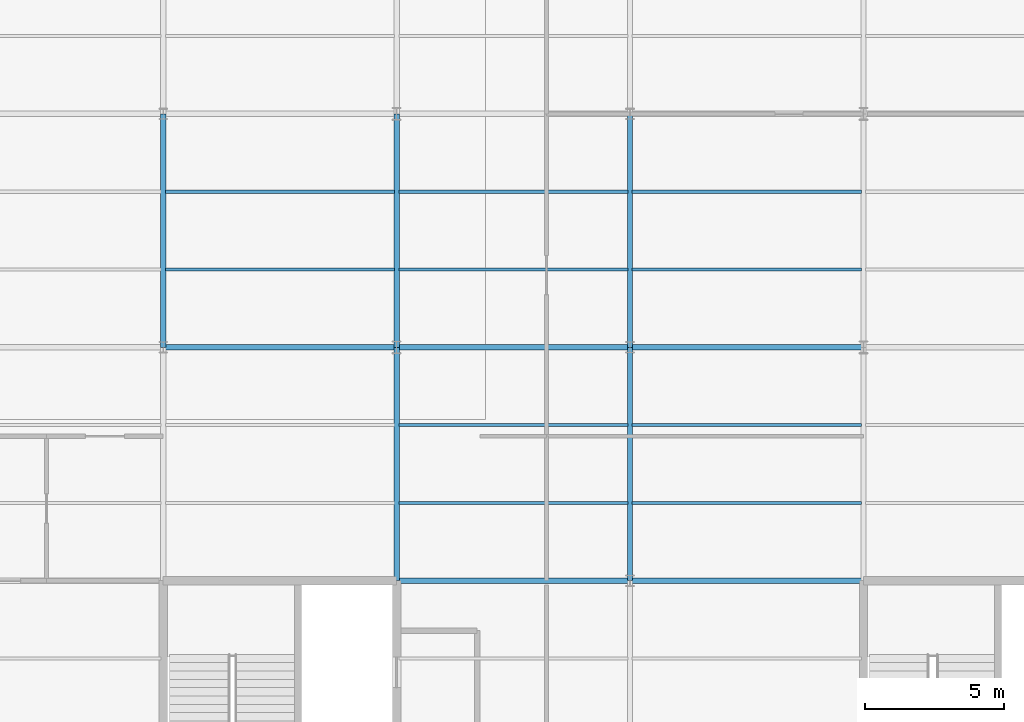
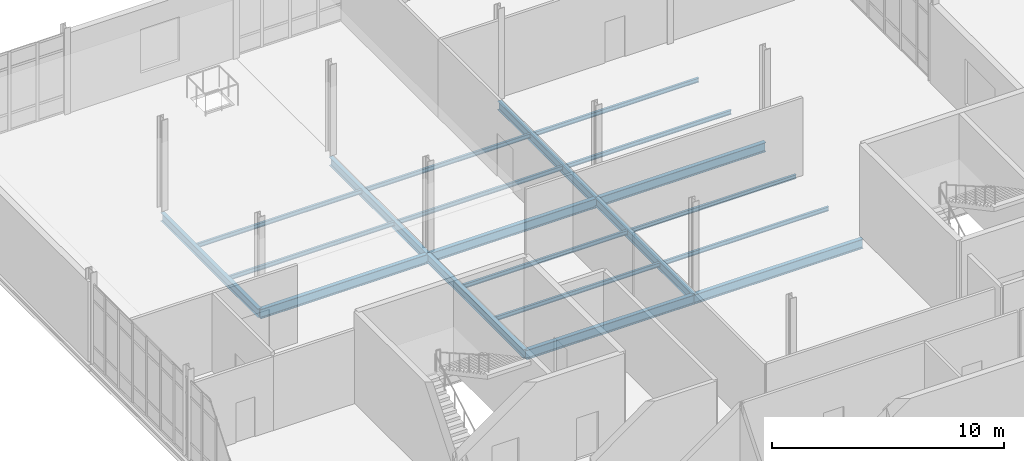
# One storey, part 10 of 28: 20 beams.
"""IFC4 building model written with IfcOpenShell, lengths in metres."""

import ifcopenshell
import ifcopenshell.guid

model = None  # the IFC model being written
_history = None  # IfcOwnerHistory: only IFC2X3 demands one
_inside = {}  # id of a spatial element -> (the spatial element, [elements in it])
_under = {}  # id of a project, library or spatial element -> (it, [spatial elements below it])
_declared = {}  # id of a project -> (the project, [libraries it declares])
_typed = {}  # id of a type object -> (the type object, [elements of that type])
_made_of = {}  # id of a material, layer set ... -> (it, [elements and type objects made of it])


def new_model(schema):
    """Start an empty IFC model of exactly this schema.

    Asked for "IFC4X3", IfcOpenShell would pick the latest addendum, in which some entities
    have other attributes; the version numbers below select the first issue.
    IFC2X3 requires an IfcOwnerHistory on every rooted entity: one is made here for all.
    """
    global model, _history
    if schema == "IFC4X3":
        model = ifcopenshell.file(schema_version=(4, 3, 0, 0))
    else:
        model = ifcopenshell.file(schema=schema)
    _inside.clear()
    _under.clear()
    _declared.clear()
    _typed.clear()
    _made_of.clear()
    _history = None
    if model.schema == "IFC2X3":
        org = make("IfcOrganization", Name="unknown")
        user = make(
            "IfcPersonAndOrganization",
            ThePerson=make("IfcPerson", FamilyName="unknown"),
            TheOrganization=org,
        )
        app = make(
            "IfcApplication",
            ApplicationDeveloper=org,
            Version="unknown",
            ApplicationFullName="unknown",
            ApplicationIdentifier="unknown",
        )
        _history = make(
            "IfcOwnerHistory",
            OwningUser=user,
            OwningApplication=app,
            ChangeAction="ADDED",
            CreationDate=0,
        )
    return model


def make(cls, **values):
    """One entity of the class cls with the attributes given. An attribute that is None is left unset."""
    return model.create_entity(
        cls, **{name: value for name, value in values.items() if value is not None}
    )


def rooted(cls, **values):
    """An entity with a GlobalId (a new one), such as an element, a storey or a relation."""
    return make(cls, GlobalId=ifcopenshell.guid.new(), OwnerHistory=_history, **values)


def si_unit(unit_type, name, prefix=None):
    """IfcSIUnit, for example si_unit("LENGTHUNIT", "METRE", prefix="MILLI")."""
    return make("IfcSIUnit", UnitType=unit_type, Prefix=prefix, Name=name)


def assignment(units):
    """IfcUnitAssignment: the units of a project."""
    return None if units is None else make("IfcUnitAssignment", Units=units)


def point(xyz):
    """IfcCartesianPoint."""
    return None if xyz is None else make("IfcCartesianPoint", Coordinates=xyz)


def direction(xyz):
    """IfcDirection."""
    return None if xyz is None else make("IfcDirection", DirectionRatios=xyz)


def frame(location, z_axis=None, x_axis=None):
    """IfcAxis2Placement3D, a coordinate frame: its origin and axes. An axis left out is left unset."""
    return make(
        "IfcAxis2Placement3D",
        Location=point(location),
        Axis=direction(z_axis),
        RefDirection=direction(x_axis),
    )


def frame_2d(location, x_axis=None):
    """IfcAxis2Placement2D, a coordinate frame in the plane: its origin and x axis."""
    return make(
        "IfcAxis2Placement2D", Location=point(location), RefDirection=direction(x_axis)
    )


def origin():
    """The frame at (0, 0, 0) with its axes left unset."""
    return frame((0.0, 0.0, 0.0))


def origin_2d():
    """The frame at (0, 0) in the plane with its x axis left unset."""
    return frame_2d((0.0, 0.0))


def place(relative_to, where):
    """IfcLocalPlacement: puts the frame where relative to a parent placement (None: the world)."""
    return make(
        "IfcLocalPlacement", PlacementRelTo=relative_to, RelativePlacement=where
    )


def context(
    kind, dimensions, precision=None, world=None, true_north=None, identifier=None
):
    """IfcGeometricRepresentationContext, for example the 3D "Model" context."""
    return make(
        "IfcGeometricRepresentationContext",
        ContextIdentifier=identifier,
        ContextType=kind,
        CoordinateSpaceDimension=dimensions,
        Precision=precision,
        WorldCoordinateSystem=world,
        TrueNorth=true_north,
    )


def subcontext(parent, identifier, kind, view, scale=None):
    """IfcGeometricRepresentationSubContext, for example "Body" below "Model"."""
    return make(
        "IfcGeometricRepresentationSubContext",
        ContextIdentifier=identifier,
        ContextType=kind,
        ParentContext=parent,
        TargetScale=scale,
        TargetView=view,
    )


def project(units=None, contexts=None):
    """IfcProject with its units and contexts."""
    return rooted(
        "IfcProject",
        Name="project",
        RepresentationContexts=contexts,
        UnitsInContext=assignment(units),
    )


def spatial(cls, under=None, at=None, **own):
    """A site, building, storey or space (cls), placed at a placement, below another one or the project."""
    s = rooted(cls, ObjectPlacement=at, **own)
    if under is not None:
        _under.setdefault(under.id(), (under, []))[1].append(s)
    return s


def profile(cls, at=None, kind="AREA", **sizes):
    """A parametric profile (cls). Its sizes go by their IFC names, for example OverallWidth=200.0."""
    return make(cls, ProfileType=kind, Position=at, **sizes)


def i_section(**sizes):
    """IfcIShapeProfileDef."""
    return profile("IfcIShapeProfileDef", **sizes)


def extrude(swept, where, along, depth):
    """IfcExtrudedAreaSolid: the profile swept, set in the frame where, extruded along a direction by depth."""
    return make(
        "IfcExtrudedAreaSolid",
        SweptArea=swept,
        Position=where,
        ExtrudedDirection=direction(along),
        Depth=depth,
    )


def shape(context_of_items, identifier, shape_type, items):
    """IfcShapeRepresentation: the items that make up one representation, for example the "Body"."""
    return make(
        "IfcShapeRepresentation",
        ContextOfItems=context_of_items,
        RepresentationIdentifier=identifier,
        RepresentationType=shape_type,
        Items=items,
    )


def material(Name=None, Category=None):
    """IfcMaterial."""
    return make("IfcMaterial", Name=Name, Category=Category)


def material_profile(
    of_material, cross_section, Name=None, Category=None, Priority=None
):
    """IfcMaterialProfile: a cross section and its material."""
    return make(
        "IfcMaterialProfile",
        Name=Name,
        Material=of_material,
        Profile=cross_section,
        Priority=Priority,
        Category=Category,
    )


def profile_set(profiles, Name=None, composite=None):
    """IfcMaterialProfileSet."""
    return make(
        "IfcMaterialProfileSet",
        Name=Name,
        MaterialProfiles=profiles,
        CompositeProfile=composite,
    )


def made_of(thing, what):
    """Note that an element or type object is made of a material, layer set ...; save() writes the relation."""
    if what is not None:
        _made_of.setdefault(what.id(), (what, []))[1].append(thing)
    return thing


def type_object(cls, material=None, **own):
    """A type object (cls), such as IfcWallType, which elements share."""
    return made_of(rooted(cls, **own), material)


def element(
    cls,
    number,
    at=None,
    inside=None,
    cuts=None,
    type_object=None,
    material=None,
    context=None,
    identifier="Body",
    shape_type=None,
    held_by="IfcProductDefinitionShape",
    body=None,
    shapes=None,
    **own,
):
    """One element of the class cls, such as IfcWall. Its Tag is "e" and its number.

    at: its placement. inside: the storey or other place that contains it. cuts: it is an
    opening in that element (IfcRelVoidsElement). A single representation is given by context,
    identifier, shape_type and body (its items); several are given by shapes. held_by: the class
    of the entity that holds the representations. save() writes the other relations.
    """
    e = rooted(cls, Tag="e%d" % number, ObjectPlacement=at, **own)
    if body is not None:
        shapes = [shape(context, identifier, shape_type, body)]
    if shapes is not None:
        e.Representation = make(held_by, Representations=shapes)
    if inside is not None:
        _inside.setdefault(inside.id(), (inside, []))[1].append(e)
    if cuts is not None:
        rooted(
            "IfcRelVoidsElement", RelatingBuildingElement=cuts, RelatedOpeningElement=e
        )
    if type_object is not None:
        _typed.setdefault(type_object.id(), (type_object, []))[1].append(e)
    return made_of(e, material)


def aggregate(whole, parts):
    """IfcRelAggregates: a whole, such as a stair, and the parts it consists of."""
    return rooted("IfcRelAggregates", RelatingObject=whole, RelatedObjects=parts)


def save(model, path):
    """Write the relations noted so far, then the file.

    IfcRelAggregates (storeys below a building ...), IfcRelContainedInSpatialStructure (elements
    in a storey), IfcRelDefinesByType, IfcRelAssociatesMaterial and IfcRelDeclares: one each for
    every whole, place, type object, material and project.
    """
    for whole, parts in _under.values():
        aggregate(whole, parts)
    for where, things in _inside.values():
        rooted(
            "IfcRelContainedInSpatialStructure",
            RelatedElements=things,
            RelatingStructure=where,
        )
    for kind, things in _typed.values():
        rooted("IfcRelDefinesByType", RelatedObjects=things, RelatingType=kind)
    for what, things in _made_of.values():
        rooted("IfcRelAssociatesMaterial", RelatedObjects=things, RelatingMaterial=what)
    for by, libraries in _declared.values():
        rooted("IfcRelDeclares", RelatingContext=by, RelatedDefinitions=libraries)
    model.write(path)


model = new_model("IFC4")

# Units and contexts
model_context = context("Model", 3, precision=1e-05, world=origin(), true_north=direction((0.0, 1.0)))
body_context = subcontext(model_context, "Body", "Model", "MODEL_VIEW")
ifc_project = project(units=[si_unit("LENGTHUNIT", "METRE"), si_unit("AREAUNIT", "SQUARE_METRE"), si_unit("VOLUMEUNIT", "CUBIC_METRE"), si_unit("PLANEANGLEUNIT", "RADIAN"), si_unit("MASSUNIT", "GRAM", prefix="KILO")], contexts=[model_context])

# Site, building, storey
site_placement = place(None, origin())
site = spatial("IfcSite", under=ifc_project, at=site_placement, CompositionType="ELEMENT")
building_placement = place(site_placement, origin())
building = spatial("IfcBuilding", under=site, at=building_placement, Name="Qalvenar Corner Mobility Hub", CompositionType="ELEMENT")
storey_placement = place(building_placement, frame((0.0, 0.0, 21.60009765625)))
storey = spatial("IfcBuildingStorey", under=building, at=storey_placement, Name="L05", CompositionType="ELEMENT", Elevation=21.60009765625)

# Beams
ifc_material = material(Name="Steel S355", Category="steel")
ifc_material_profile_1 = material_profile(ifc_material, i_section(OverallWidth=0.18994140625, OverallDepth=0.449951171875, WebThickness=0.009521484375, FlangeThickness=0.0146484375, FilletRadius=0.02099609375, at=origin_2d()), Name="IPE450")
ifc_profile_set_1 = profile_set([ifc_material_profile_1], Name="Steel S355")
beam_type_1 = type_object("IfcBeamType", Name="BM-IPE450", PredefinedType="BEAM", material=ifc_profile_set_1)
beam_1_placement = place(storey_placement, frame((8.39990234375, 25.199951171875, -0.405029296875), z_axis=(0.0, 1.0, 0.0), x_axis=(-1.0, 0.0, 0.0)))
element("IfcBeam", 1, at=beam_1_placement, inside=storey, type_object=beam_type_1, Name="Primary Steel Girder GY-2983", PredefinedType="BEAM", context=body_context, shape_type="SweptSolid", body=[
    extrude(i_section(OverallWidth=0.18994140625, OverallDepth=0.449951171875, WebThickness=0.009521484375, FlangeThickness=0.0146484375, FilletRadius=0.02099609375, at=origin_2d()), origin(), (0.0, 0.0, 1.0), 8.400146484375),
])
beam_2_placement = place(storey_placement, frame((16.800048828125, 16.800048828125, -0.405029296875), z_axis=(0.0, 1.0, 0.0), x_axis=(-1.0, 0.0, 0.0)))
element("IfcBeam", 2, at=beam_2_placement, inside=storey, type_object=beam_type_1, Name="Primary Steel Girder GY-2987", PredefinedType="BEAM", context=body_context, shape_type="SweptSolid", body=[
    extrude(i_section(OverallWidth=0.18994140625, OverallDepth=0.449951171875, WebThickness=0.009521484375, FlangeThickness=0.0146484375, FilletRadius=0.02099609375, at=origin_2d()), origin(), (0.0, 0.0, 1.0), 8.39990234375),
])
beam_3_placement = place(storey_placement, frame((16.800048828125, 25.199951171875, -0.405029296875), z_axis=(0.0, 1.0, 0.0), x_axis=(-1.0, 0.0, 0.0)))
element("IfcBeam", 3, at=beam_3_placement, inside=storey, type_object=beam_type_1, Name="Primary Steel Girder GY-2988", PredefinedType="BEAM", context=body_context, shape_type="SweptSolid", body=[
    extrude(i_section(OverallWidth=0.18994140625, OverallDepth=0.449951171875, WebThickness=0.009521484375, FlangeThickness=0.0146484375, FilletRadius=0.02099609375, at=origin_2d()), origin(), (0.0, 0.0, 1.0), 8.400146484375),
])
beam_4_placement = place(storey_placement, frame((25.199951171875, 16.800048828125, -0.405029296875), z_axis=(0.0, 1.0, 0.0), x_axis=(-1.0, 0.0, 0.0)))
element("IfcBeam", 4, at=beam_4_placement, inside=storey, type_object=beam_type_1, Name="Primary Steel Girder GY-2992", PredefinedType="BEAM", context=body_context, shape_type="SweptSolid", body=[
    extrude(i_section(OverallWidth=0.18994140625, OverallDepth=0.449951171875, WebThickness=0.009521484375, FlangeThickness=0.0146484375, FilletRadius=0.02099609375, at=origin_2d()), origin(), (0.0, 0.0, 1.0), 8.39990234375),
])
beam_5_placement = place(storey_placement, frame((25.199951171875, 25.199951171875, -0.405029296875), z_axis=(0.0, 1.0, 0.0), x_axis=(-1.0, 0.0, 0.0)))
element("IfcBeam", 5, at=beam_5_placement, inside=storey, type_object=beam_type_1, Name="Primary Steel Girder GY-2993", PredefinedType="BEAM", context=body_context, shape_type="SweptSolid", body=[
    extrude(i_section(OverallWidth=0.18994140625, OverallDepth=0.449951171875, WebThickness=0.009521484375, FlangeThickness=0.0146484375, FilletRadius=0.02099609375, at=origin_2d()), origin(), (0.0, 0.0, 1.0), 8.400146484375),
])
ifc_material_profile_2 = material_profile(ifc_material, i_section(OverallWidth=0.199951171875, OverallDepth=0.5, WebThickness=0.01025390625, FlangeThickness=0.01611328125, FilletRadius=0.02099609375, at=origin_2d()), Name="IPE500")
ifc_profile_set_2 = profile_set([ifc_material_profile_2], Name="Steel S355")
beam_type_2 = type_object("IfcBeamType", Name="BM-IPE500", PredefinedType="BEAM", material=ifc_profile_set_2)
beam_6_placement = place(storey_placement, frame((16.800048828125, 16.800048828125, -0.43017578125), z_axis=(1.0, 0.0, 0.0), x_axis=(0.0, 1.0, 0.0)))
element("IfcBeam", 6, at=beam_6_placement, inside=storey, type_object=beam_type_2, Name="Primary Steel Girder GX-2957", PredefinedType="BEAM", context=body_context, shape_type="SweptSolid", body=[
    extrude(i_section(OverallWidth=0.199951171875, OverallDepth=0.5, WebThickness=0.01025390625, FlangeThickness=0.01611328125, FilletRadius=0.02099609375, at=origin_2d()), origin(), (0.0, 0.0, 1.0), 8.39990234375),
])
for number, where, z_axis, x_axis, name in (
    (7, (25.199951171875, 16.800048828125, -0.43017578125), (1.0, 0.0, 0.0), (0.0, 1.0, 0.0), "Primary Steel Girder GX-2958"),
    (8, (8.39990234375, 25.199951171875, -0.43017578125), (1.0, 0.0, 0.0), (0.0, 1.0, 0.0), "Primary Steel Girder GX-2961"),
):
    element("IfcBeam", number, at=place(storey_placement, frame(where, z_axis=z_axis, x_axis=x_axis)), inside=storey, type_object=beam_type_2, Name=name, PredefinedType="BEAM", context=body_context, shape_type="SweptSolid", body=[
        extrude(i_section(OverallWidth=0.199951171875, OverallDepth=0.5, WebThickness=0.01025390625, FlangeThickness=0.01611328125, FilletRadius=0.02099609375, at=origin_2d()), origin(), (0.0, 0.0, 1.0), 8.400146484375),
    ])
beam_7_placement = place(storey_placement, frame((16.800048828125, 25.199951171875, -0.43017578125), z_axis=(1.0, 0.0, 0.0), x_axis=(0.0, 1.0, 0.0)))
element("IfcBeam", 9, at=beam_7_placement, inside=storey, type_object=beam_type_2, Name="Primary Steel Girder GX-2962", PredefinedType="BEAM", context=body_context, shape_type="SweptSolid", body=[
    extrude(i_section(OverallWidth=0.199951171875, OverallDepth=0.5, WebThickness=0.01025390625, FlangeThickness=0.01611328125, FilletRadius=0.02099609375, at=origin_2d()), origin(), (0.0, 0.0, 1.0), 8.39990234375),
])
beam_8_placement = place(storey_placement, frame((25.199951171875, 25.199951171875, -0.43017578125), z_axis=(1.0, 0.0, 0.0), x_axis=(0.0, 1.0, 0.0)))
element("IfcBeam", 10, at=beam_8_placement, inside=storey, type_object=beam_type_2, Name="Primary Steel Girder GX-2963", PredefinedType="BEAM", context=body_context, shape_type="SweptSolid", body=[
    extrude(i_section(OverallWidth=0.199951171875, OverallDepth=0.5, WebThickness=0.01025390625, FlangeThickness=0.01611328125, FilletRadius=0.02099609375, at=origin_2d()), origin(), (0.0, 0.0, 1.0), 8.400146484375),
])
ifc_material_profile_3 = material_profile(ifc_material, i_section(OverallWidth=0.110107421875, OverallDepth=0.219970703125, WebThickness=0.005859375, FlangeThickness=0.00927734375, FilletRadius=0.011962890625, at=origin_2d()), Name="IPE220")
ifc_profile_set_3 = profile_set([ifc_material_profile_3], Name="Steel S355")
beam_type_3 = type_object("IfcBeamType", Name="BM-JST220", PredefinedType="JOIST", material=ifc_profile_set_3)
for number, where, z_axis, x_axis, name in (
    (11, (8.47802734375, 28.0, -0.2900390625), (1.0, 0.0, 0.0), (0.0, 1.0, 0.0), "Composite Floor Joist J-3020"),
    (12, (8.47802734375, 30.800048828125, -0.2900390625), (1.0, 0.0, 0.0), (0.0, 1.0, 0.0), "Composite Floor Joist J-3021"),
):
    element("IfcBeam", number, at=place(storey_placement, frame(where, z_axis=z_axis, x_axis=x_axis)), inside=storey, type_object=beam_type_3, Name=name, PredefinedType="JOIST", context=body_context, shape_type="SweptSolid", body=[
        extrude(i_section(OverallWidth=0.110107421875, OverallDepth=0.219970703125, WebThickness=0.005859375, FlangeThickness=0.00927734375, FilletRadius=0.011962890625, at=origin_2d()), origin(), (0.0, 0.0, 1.0), 8.243896484375),
    ])
for number, where, z_axis, x_axis, name in (
    (13, (16.8779296875, 19.60009765625, -0.2900390625), (1.0, 0.0, 0.0), (0.0, 1.0, 0.0), "Composite Floor Joist J-3028"),
    (14, (16.8779296875, 22.39990234375, -0.2900390625), (1.0, 0.0, 0.0), (0.0, 1.0, 0.0), "Composite Floor Joist J-3029"),
    (15, (16.8779296875, 28.0, -0.2900390625), (1.0, 0.0, 0.0), (0.0, 1.0, 0.0), "Composite Floor Joist J-3030"),
    (16, (16.8779296875, 30.800048828125, -0.2900390625), (1.0, 0.0, 0.0), (0.0, 1.0, 0.0), "Composite Floor Joist J-3031"),
):
    element("IfcBeam", number, at=place(storey_placement, frame(where, z_axis=z_axis, x_axis=x_axis)), inside=storey, type_object=beam_type_3, Name=name, PredefinedType="JOIST", context=body_context, shape_type="SweptSolid", body=[
        extrude(i_section(OverallWidth=0.110107421875, OverallDepth=0.219970703125, WebThickness=0.005859375, FlangeThickness=0.00927734375, FilletRadius=0.011962890625, at=origin_2d()), origin(), (0.0, 0.0, 1.0), 8.244140625),
    ])
for number, where, z_axis, x_axis, name in (
    (17, (25.278076171875, 19.60009765625, -0.2900390625), (1.0, 0.0, 0.0), (0.0, 1.0, 0.0), "Composite Floor Joist J-3038"),
    (18, (25.278076171875, 22.39990234375, -0.2900390625), (1.0, 0.0, 0.0), (0.0, 1.0, 0.0), "Composite Floor Joist J-3039"),
    (19, (25.278076171875, 28.0, -0.2900390625), (1.0, 0.0, 0.0), (0.0, 1.0, 0.0), "Composite Floor Joist J-3040"),
    (20, (25.278076171875, 30.800048828125, -0.2900390625), (1.0, 0.0, 0.0), (0.0, 1.0, 0.0), "Composite Floor Joist J-3041"),
):
    element("IfcBeam", number, at=place(storey_placement, frame(where, z_axis=z_axis, x_axis=x_axis)), inside=storey, type_object=beam_type_3, Name=name, PredefinedType="JOIST", context=body_context, shape_type="SweptSolid", body=[
        extrude(i_section(OverallWidth=0.110107421875, OverallDepth=0.219970703125, WebThickness=0.005859375, FlangeThickness=0.00927734375, FilletRadius=0.011962890625, at=origin_2d()), origin(), (0.0, 0.0, 1.0), 8.243896484375),
    ])

save(model, "model.ifc")
